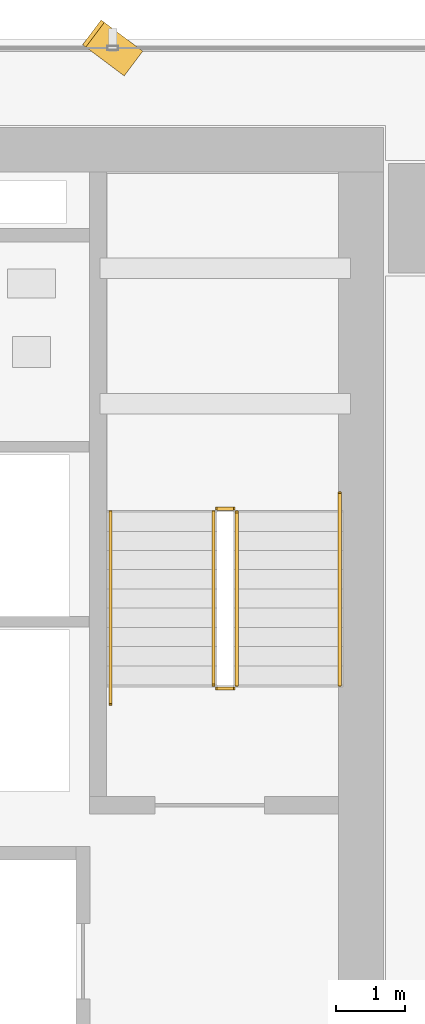
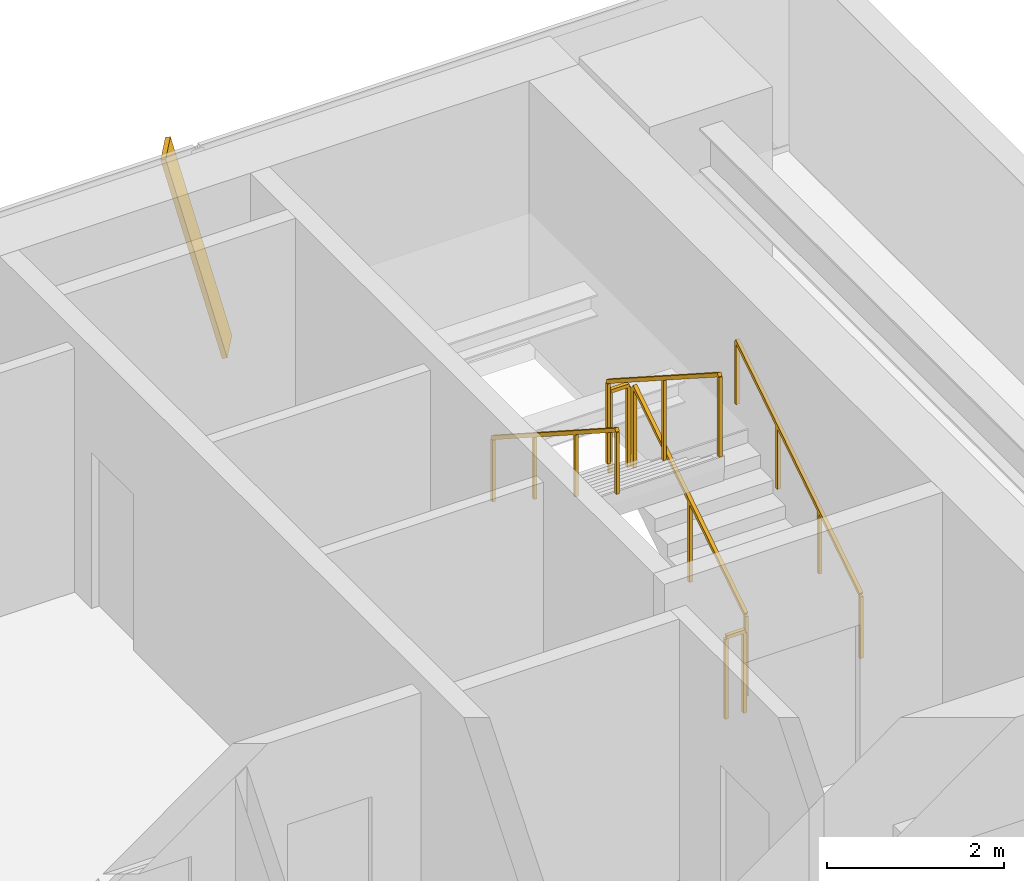
# One storey, part 33 of 34: 6 railings, 1 shading device.
"""IFC4 building model written with IfcOpenShell, lengths in metres."""

from ifc_helpers import new_model, si_unit, direction, frame, origin, origin_2d, place, context, subcontext, project, spatial, rectangle, extrude, source, transform, mapped, material, material_profile, profile_set, type_object, element, save


model = new_model("IFC4")

# Units and contexts
model_context = context("Model", 3, precision=1e-05, world=origin(), true_north=direction((0.0, 1.0)))
body_context = subcontext(model_context, "Body", "Model", "MODEL_VIEW")
ifc_project = project(units=[si_unit("LENGTHUNIT", "METRE"), si_unit("AREAUNIT", "SQUARE_METRE"), si_unit("VOLUMEUNIT", "CUBIC_METRE"), si_unit("PLANEANGLEUNIT", "RADIAN"), si_unit("MASSUNIT", "GRAM", prefix="KILO")], contexts=[model_context])

# Site, building, storey
site_placement = place(None, origin())
site = spatial("IfcSite", under=ifc_project, at=site_placement, CompositionType="ELEMENT")
building_placement = place(site_placement, origin())
building = spatial("IfcBuilding", under=site, at=building_placement, Name="Sumidabori Civic Tower", CompositionType="ELEMENT")
storey_placement = place(building_placement, frame((0.0, 0.0, 99.199951171875)))
storey = spatial("IfcBuildingStorey", under=building, at=storey_placement, Name="L25", CompositionType="ELEMENT", Elevation=99.199951171875)

# Railings
ifc_material_1 = material(Name="Stainless Steel Hairline Finish", Category="steel")
railing_type_1 = type_object("IfcRailingType", Name="RL-HANDRAIL", PredefinedType="HANDRAIL", material=ifc_material_1)
railing_1_placement = place(storey_placement, frame((15.2900390625, 16.0, 0.179931640625)))
element("IfcRailing", 1, at=railing_1_placement, inside=storey, type_object=railing_type_1, Name="L25 ST-2 stair handrail 1", PredefinedType="HANDRAIL", context=body_context, shape_type="SweptSolid", body=[
    extrude(rectangle(XDim=0.048095703125, YDim=0.048095703125, at=origin_2d()), frame((0.0, 0.0, 0.8759765625), z_axis=(0.0, 0.84064222762, 0.54159084662), x_axis=(-1.0, 0.0, 0.0)), (0.0, 0.0, 1.0), 3.330810546875),
    extrude(rectangle(XDim=0.0419921875, YDim=0.0419921875, at=origin_2d()), origin(), (0.0, 0.0, 1.0), 0.851806640625),
    extrude(rectangle(XDim=0.0419921875, YDim=0.0419921875, at=origin_2d()), frame((0.0, 0.933349609375, 0.601318359375)), (0.0, 0.0, 1.0), 0.851806640625),
    extrude(rectangle(XDim=0.0419921875, YDim=0.0419921875, at=origin_2d()), frame((0.0, 1.86669921875, 1.20263671875)), (0.0, 0.0, 1.0), 0.851806640625),
    extrude(rectangle(XDim=0.0419921875, YDim=0.0419921875, at=origin_2d()), frame((0.0, 2.800048828125, 1.803955078125)), (0.0, 0.0, 1.0), 0.851806640625),
])
railing_2_placement = place(storey_placement, frame((11.949951171875, 18.52001953125, 1.97998046875)))
element("IfcRailing", 2, at=railing_2_placement, inside=storey, type_object=railing_type_1, Name="L25 ST-2 stair handrail 2", PredefinedType="HANDRAIL", context=body_context, shape_type="SweptSolid", body=[
    extrude(rectangle(XDim=0.048095703125, YDim=0.048095703125, at=origin_2d()), frame((0.0, 0.0, 0.8759765625), z_axis=(0.0, -0.84064222762, 0.54159084662), x_axis=(1.0, 0.0, 0.0)), (0.0, 0.0, 1.0), 3.330810546875),
    extrude(rectangle(XDim=0.0419921875, YDim=0.0419921875, at=origin_2d()), origin(), (0.0, 0.0, 1.0), 0.851806640625),
    extrude(rectangle(XDim=0.0419921875, YDim=0.0419921875, at=origin_2d()), frame((0.0, -0.933349609375, 0.601318359375)), (0.0, 0.0, 1.0), 0.851806640625),
    extrude(rectangle(XDim=0.0419921875, YDim=0.0419921875, at=origin_2d()), frame((0.0, -1.86669921875, 1.20263671875)), (0.0, 0.0, 1.0), 0.851806640625),
    extrude(rectangle(XDim=0.0419921875, YDim=0.0419921875, at=origin_2d()), frame((0.0, -2.800048828125, 1.803955078125)), (0.0, 0.0, 1.0), 0.851806640625),
])
ifc_material_2 = material(Name="Steel SN490", Category="steel")
railing_type_2 = type_object("IfcRailingType", Name="RL-STAIR-GUARD", PredefinedType="GUARDRAIL", material=ifc_material_2)
railing_3_placement = place(storey_placement, frame((13.7900390625, 16.0, 0.179931640625)))
element("IfcRailing", 3, at=railing_3_placement, inside=storey, type_object=railing_type_2, Name="L25 ST-2 stair guard 1", PredefinedType="GUARDRAIL", context=body_context, shape_type="SweptSolid", body=[
    extrude(rectangle(XDim=0.048095703125, YDim=0.048095703125, at=origin_2d()), frame((0.0, 0.0, 1.1259765625), z_axis=(0.0, 0.841162588446, 0.540782303519), x_axis=(-1.0, 0.0, 0.0)), (0.0, 0.0, 1.0), 2.995849609375),
    extrude(rectangle(XDim=0.0419921875, YDim=0.0419921875, at=origin_2d()), origin(), (0.0, 0.0, 1.0), 1.101806640625),
    extrude(rectangle(XDim=0.0419921875, YDim=0.0419921875, at=origin_2d()), frame((0.0, 1.260009765625, 0.81005859375)), (0.0, 0.0, 1.0), 1.101806640625),
    extrude(rectangle(XDim=0.0419921875, YDim=0.0419921875, at=origin_2d()), frame((0.0, 2.52001953125, 1.6201171875)), (0.0, 0.0, 1.0), 1.101806640625),
])
railing_4_placement = place(storey_placement, frame((13.739990234375, 18.570068359375, 1.800048828125)))
element("IfcRailing", 4, at=railing_4_placement, inside=storey, type_object=railing_type_2, Name="L25 ST-2 stair guard 2", PredefinedType="GUARDRAIL", context=body_context, shape_type="SweptSolid", body=[
    extrude(rectangle(XDim=0.048095703125, YDim=0.048095703125, at=origin_2d()), frame((0.0, 0.0, 1.1259765625), z_axis=(-1.0, 0.0, 0.0), x_axis=(0.0, -1.0, 0.0)), (0.0, 0.0, 1.0), 0.239990234375),
    extrude(rectangle(XDim=0.0419921875, YDim=0.0419921875, at=origin_2d()), origin(), (0.0, 0.0, 1.0), 1.101806640625),
    extrude(rectangle(XDim=0.0419921875, YDim=0.0419921875, at=origin_2d()), frame((-0.239990234375, 0.0, 0.0)), (0.0, 0.0, 1.0), 1.101806640625),
])
railing_5_placement = place(storey_placement, frame((13.449951171875, 18.52001953125, 1.97998046875)))
element("IfcRailing", 5, at=railing_5_placement, inside=storey, type_object=railing_type_2, Name="L25 ST-2 stair guard 3", PredefinedType="GUARDRAIL", context=body_context, shape_type="SweptSolid", body=[
    extrude(rectangle(XDim=0.048095703125, YDim=0.048095703125, at=origin_2d()), frame((0.0, 0.0, 1.1259765625), z_axis=(0.0, -0.841162588446, 0.540782303519), x_axis=(1.0, 0.0, 0.0)), (0.0, 0.0, 1.0), 2.995849609375),
    extrude(rectangle(XDim=0.0419921875, YDim=0.0419921875, at=origin_2d()), origin(), (0.0, 0.0, 1.0), 1.101806640625),
    extrude(rectangle(XDim=0.0419921875, YDim=0.0419921875, at=origin_2d()), frame((0.0, -1.260009765625, 0.81005859375)), (0.0, 0.0, 1.0), 1.101806640625),
    extrude(rectangle(XDim=0.0419921875, YDim=0.0419921875, at=origin_2d()), frame((0.0, -2.52001953125, 1.6201171875)), (0.0, 0.0, 1.0), 1.101806640625),
])
railing_6_placement = place(storey_placement, frame((13.739990234375, 15.949951171875, 0.0)))
element("IfcRailing", 6, at=railing_6_placement, inside=storey, type_object=railing_type_2, Name="L25 ST-2 stair guard 4", PredefinedType="GUARDRAIL", context=body_context, shape_type="SweptSolid", body=[
    extrude(rectangle(XDim=0.048095703125, YDim=0.048095703125, at=origin_2d()), frame((0.0, 0.0, 1.1259765625), z_axis=(-1.0, 0.0, 0.0), x_axis=(0.0, -1.0, 0.0)), (0.0, 0.0, 1.0), 0.239990234375),
    extrude(rectangle(XDim=0.0419921875, YDim=0.0419921875, at=origin_2d()), origin(), (0.0, 0.0, 1.0), 1.101806640625),
    extrude(rectangle(XDim=0.0419921875, YDim=0.0419921875, at=origin_2d()), frame((-0.239990234375, 0.0, 0.0)), (0.0, 0.0, 1.0), 1.101806640625),
])

# Shading device
ifc_material_3 = material(Name="Anodised Bronze Aluminium AW-6063-T6", Category="aluminium")
ifc_material_profile = material_profile(ifc_material_3, rectangle(XDim=0.06005859375, YDim=0.449951171875, at=origin_2d()), Name="BRONZE FIN 450x60")
ifc_profile_set = profile_set([ifc_material_profile], Name="Anodised Bronze Aluminium AW-6063-T6")
shading_device_type = type_object("IfcShadingDeviceType", Name="SH-FIN-450", PredefinedType="USERDEFINED", material=ifc_profile_set)
shared_shape = source(origin(), body_context, "Body", "SweptSolid", [
    extrude(rectangle(XDim=0.06005859375, YDim=0.449951171875, at=origin_2d()), origin(), (0.0, 0.0, 1.0), 2.769775390625),
])
shading_device_placement = place(storey_placement, frame((12.261962890625, 25.070068359375, 0.02001953125), z_axis=(-0.202198633998, 0.151604904305, 0.967538973582), x_axis=(0.774112159528, -0.58041539424, 0.252721852241)))
element("IfcShadingDevice", 7, at=shading_device_placement, inside=storey, type_object=shading_device_type, Name="Bronze Anodised Diagonal Fin L25-01", ObjectType="FIN", PredefinedType="USERDEFINED", context=body_context, shape_type="MappedRepresentation", body=[
    mapped(shared_shape, transform((0.0, 0.0, 0.0), x_axis=(1.0, 0.0, 0.0), y_axis=(0.0, 1.0, 0.0), z_axis=(0.0, 0.0, 1.0), scale=1.0)),
])

save(model, "model.ifc")
